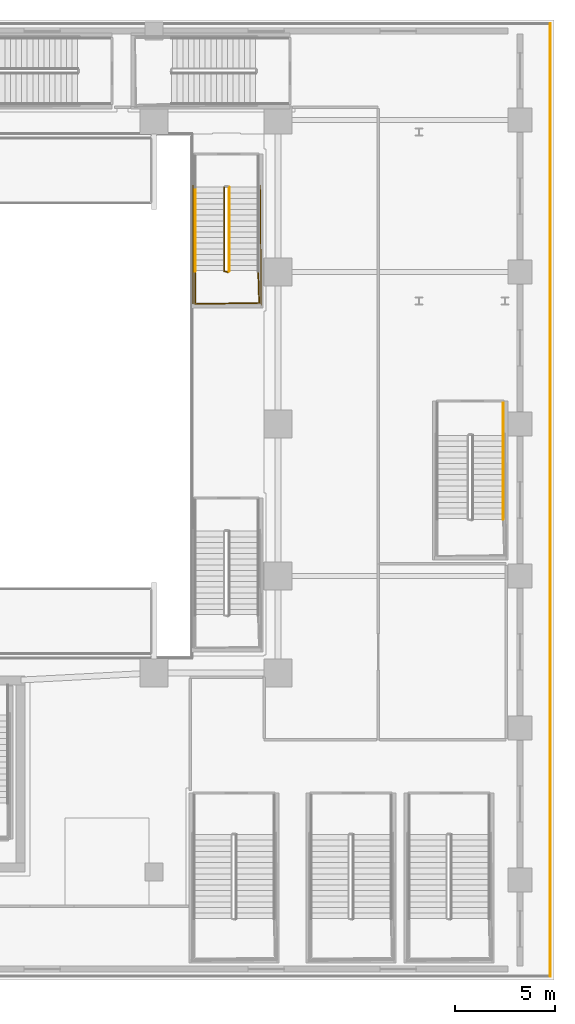
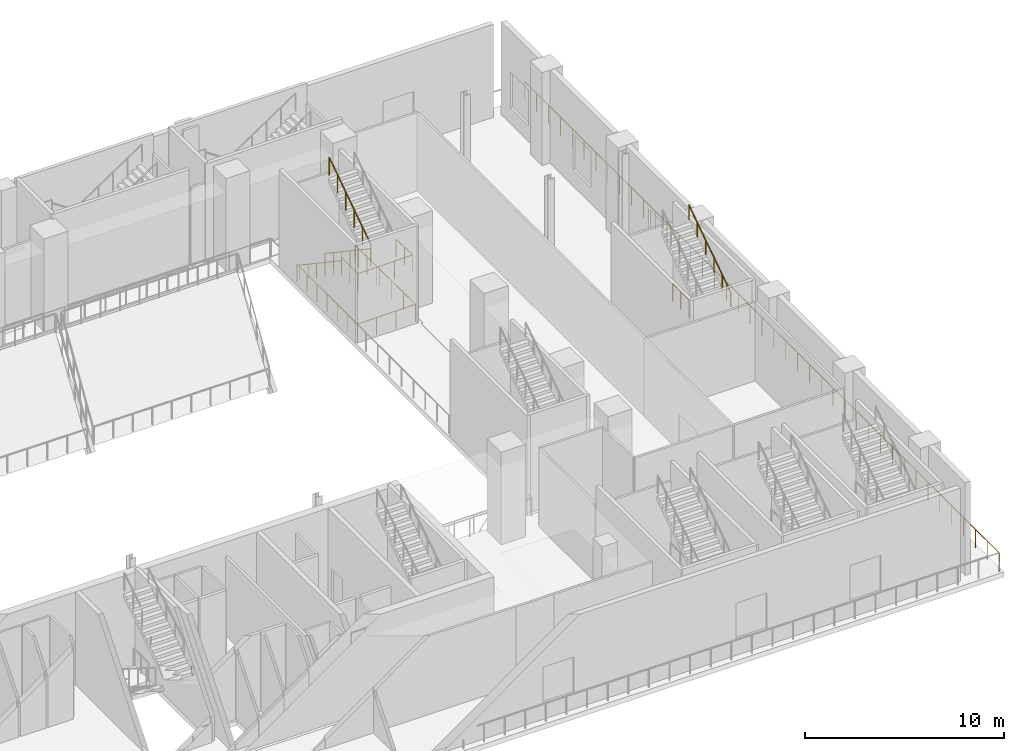
# One storey, part 29 of 30: 8 railings.
"""IFC4 building model written with IfcOpenShell, lengths in metres."""

from ifc_helpers import new_model, si_unit, direction, frame, origin, origin_2d, place, context, subcontext, project, spatial, circle, extrude, material, layer, layer_set, type_object, element, save


model = new_model("IFC4")

# Units and contexts
model_context = context("Model", 3, precision=1e-05, world=origin(), true_north=direction((0.0, 1.0)))
body_context = subcontext(model_context, "Body", "Model", "MODEL_VIEW")
ifc_project = project(units=[si_unit("LENGTHUNIT", "METRE"), si_unit("AREAUNIT", "SQUARE_METRE"), si_unit("VOLUMEUNIT", "CUBIC_METRE"), si_unit("PLANEANGLEUNIT", "RADIAN"), si_unit("MASSUNIT", "GRAM", prefix="KILO")], contexts=[model_context])

# Site, building, storey
site_placement = place(None, origin())
site = spatial("IfcSite", under=ifc_project, at=site_placement, CompositionType="ELEMENT")
building_placement = place(site_placement, origin())
building = spatial("IfcBuilding", under=site, at=building_placement, Name="Ndaravel Arena Tower", CompositionType="ELEMENT")
storey_placement = place(building_placement, frame((0.0, 0.0, 6.0)))
storey = spatial("IfcBuildingStorey", under=building, at=storey_placement, Name="L01", CompositionType="ELEMENT", Elevation=6.0)

# Railings
ifc_material_1 = material(Name="Steel S355", Category="steel")
ifc_layer_1 = layer(ifc_material_1, 0.06005859375)
ifc_layer_set_1 = layer_set([ifc_layer_1], Name="Steel S355")
railing_type_1 = type_object("IfcRailingType", Name="RAIL-STAIR-GD1100", PredefinedType="GUARDRAIL", material=ifc_layer_set_1)
railing_1_placement = place(storey_placement, frame((81.449951171875, 28.85009765625, 0.0)))
element("IfcRailing", 1, at=railing_1_placement, inside=storey, type_object=railing_type_1, Name="L01 ST-A12 stair guard 6", PredefinedType="GUARDRAIL", context=body_context, shape_type="SweptSolid", body=[
    extrude(circle(Radius=0.02392578125, at=origin_2d()), frame((0.0, 0.0, 1.076171875), z_axis=(0.0, -1.0, 0.0), x_axis=(1.0, 0.0, 0.0)), (0.0, 0.0, 1.0), 1.6201171875),
    extrude(circle(Radius=0.02099609375, at=origin_2d()), origin(), (0.0, 0.0, 1.0), 1.052001953125),
    extrude(circle(Radius=0.02099609375, at=origin_2d()), frame((0.0, -0.81005859375, 0.0)), (0.0, 0.0, 1.0), 1.052001953125),
    extrude(circle(Radius=0.02099609375, at=origin_2d()), frame((0.0, -1.6201171875, 0.0)), (0.0, 0.0, 1.0), 1.052001953125),
])
railing_2_placement = place(storey_placement, frame((67.510009765625, 39.639892578125, 0.1875)))
element("IfcRailing", 2, at=railing_2_placement, inside=storey, type_object=railing_type_1, Name="L01 ST-VOM-4 stair guard 1", PredefinedType="GUARDRAIL", context=body_context, shape_type="SweptSolid", body=[
    extrude(circle(Radius=0.02392578125, at=origin_2d()), frame((0.0, 0.0, 1.076171875), z_axis=(0.0, -0.830904186295, 0.556415522067), x_axis=(1.0, 0.0, 0.0)), (0.0, 0.0, 1.0), 5.0546875),
    extrude(circle(Radius=0.02392578125, at=origin_2d()), frame((0.0, -4.199951171875, 3.888671875), z_axis=(0.966993988697, -0.254799187253, 0.0), x_axis=(0.254799187253, 0.966993988697, 0.0)), (0.0, 0.0, 1.0), 0.196533203125),
    extrude(circle(Radius=0.02099609375, at=origin_2d()), origin(), (0.0, 0.0, 1.0), 1.052001953125),
    extrude(circle(Radius=0.02099609375, at=origin_2d()), frame((0.0, -0.840087890625, 0.5625)), (0.0, 0.0, 1.0), 1.052001953125),
    extrude(circle(Radius=0.02099609375, at=origin_2d()), frame((0.0, -1.679931640625, 1.125)), (0.0, 0.0, 1.0), 1.052001953125),
    extrude(circle(Radius=0.02099609375, at=origin_2d()), frame((0.0, -2.52001953125, 1.6875)), (0.0, 0.0, 1.0), 1.052001953125),
    extrude(circle(Radius=0.02099609375, at=origin_2d()), frame((0.0, -3.35986328125, 2.25)), (0.0, 0.0, 1.0), 1.052001953125),
    extrude(circle(Radius=0.02099609375, at=origin_2d()), frame((0.0, -4.199951171875, 2.8125)), (0.0, 0.0, 1.0), 1.052001953125),
    extrude(circle(Radius=0.02099609375, at=origin_2d()), frame((0.18994140625, -4.25, 2.8125)), (0.0, 0.0, 1.0), 1.052001953125),
])
railing_3_placement = place(storey_placement, frame((66.050048828125, 35.43994140625, 3.0)))
element("IfcRailing", 3, at=railing_3_placement, inside=storey, type_object=railing_type_1, Name="L01 ST-VOM-4 stair guard 2", PredefinedType="GUARDRAIL", context=body_context, shape_type="SweptSolid", body=[
    extrude(circle(Radius=0.02392578125, at=origin_2d()), frame((0.0, 0.0, 1.076171875), z_axis=(0.0, -1.0, 0.0), x_axis=(1.0, 0.0, 0.0)), (0.0, 0.0, 1.0), 1.639892578125),
    extrude(circle(Radius=0.02392578125, at=origin_2d()), frame((0.0, -1.639892578125, 1.076171875), z_axis=(0.999878471214, 0.015589830134, 0.0), x_axis=(-0.015589830134, 0.999878471214, 0.0)), (0.0, 0.0, 1.0), 3.21044921875),
    extrude(circle(Radius=0.02392578125, at=origin_2d()), frame((3.2099609375, -1.58984375, 1.076171875), z_axis=(-0.031464756864, 0.999504861957, 0.0), x_axis=(-0.999504861957, -0.031464756864, 0.0)), (0.0, 0.0, 1.0), 1.590576171875),
    extrude(circle(Radius=0.02099609375, at=origin_2d()), origin(), (0.0, 0.0, 1.0), 1.052001953125),
    extrude(circle(Radius=0.02099609375, at=origin_2d()), frame((0.0, -0.81982421875, 0.0)), (0.0, 0.0, 1.0), 1.052001953125),
    extrude(circle(Radius=0.02099609375, at=origin_2d()), frame((0.0, -1.639892578125, 0.0)), (0.0, 0.0, 1.0), 1.052001953125),
    extrude(circle(Radius=0.02099609375, at=origin_2d()), frame((1.070068359375, -1.623291015625, 0.0)), (0.0, 0.0, 1.0), 1.052001953125),
    extrude(circle(Radius=0.02099609375, at=origin_2d()), frame((2.139892578125, -1.6064453125, 0.0)), (0.0, 0.0, 1.0), 1.052001953125),
    extrude(circle(Radius=0.02099609375, at=origin_2d()), frame((3.2099609375, -1.58984375, 0.0)), (0.0, 0.0, 1.0), 1.052001953125),
    extrude(circle(Radius=0.02099609375, at=origin_2d()), frame((3.18505859375, -0.794921875, 0.0)), (0.0, 0.0, 1.0), 1.052001953125),
    extrude(circle(Radius=0.02099609375, at=origin_2d()), frame((3.159912109375, 0.0, 0.0)), (0.0, 0.0, 1.0), 1.052001953125),
])
railing_4_placement = place(storey_placement, frame((67.75, 35.43994140625, 3.1875)))
element("IfcRailing", 4, at=railing_4_placement, inside=storey, type_object=railing_type_1, Name="L01 ST-VOM-4 stair guard 3", PredefinedType="GUARDRAIL", context=body_context, shape_type="SweptSolid", body=[
    extrude(circle(Radius=0.02392578125, at=origin_2d()), frame((0.0, 0.0, 1.076171875), z_axis=(0.0, 0.830904186295, 0.556415522067), x_axis=(-1.0, 0.0, 0.0)), (0.0, 0.0, 1.0), 5.0546875),
    extrude(circle(Radius=0.02099609375, at=origin_2d()), origin(), (0.0, 0.0, 1.0), 1.052001953125),
    extrude(circle(Radius=0.02099609375, at=origin_2d()), frame((0.0, 0.840087890625, 0.5625)), (0.0, 0.0, 1.0), 1.052001953125),
    extrude(circle(Radius=0.02099609375, at=origin_2d()), frame((0.0, 1.679931640625, 1.125)), (0.0, 0.0, 1.0), 1.052001953125),
    extrude(circle(Radius=0.02099609375, at=origin_2d()), frame((0.0, 2.52001953125, 1.6875)), (0.0, 0.0, 1.0), 1.052001953125),
    extrude(circle(Radius=0.02099609375, at=origin_2d()), frame((0.0, 3.35986328125, 2.25)), (0.0, 0.0, 1.0), 1.052001953125),
    extrude(circle(Radius=0.02099609375, at=origin_2d()), frame((0.0, 4.199951171875, 2.8125)), (0.0, 0.0, 1.0), 1.052001953125),
])
railing_5_placement = place(storey_placement, frame((65.949951171875, 39.739990234375, 0.0)))
element("IfcRailing", 5, at=railing_5_placement, inside=storey, type_object=railing_type_1, Name="L01 ST-VOM-4 stair guard 7", PredefinedType="GUARDRAIL", context=body_context, shape_type="SweptSolid", body=[
    extrude(circle(Radius=0.02392578125, at=origin_2d()), frame((0.0, 0.0, 1.076171875), z_axis=(0.0, -1.0, 0.0), x_axis=(1.0, 0.0, 0.0)), (0.0, 0.0, 1.0), 6.0400390625),
    extrude(circle(Radius=0.02392578125, at=origin_2d()), frame((0.0, -6.0400390625, 1.076171875), z_axis=(0.99989231899, 0.014674822837, 0.0), x_axis=(-0.014674822837, 0.99989231899, 0.0)), (0.0, 0.0, 1.0), 3.41064453125),
    extrude(circle(Radius=0.02392578125, at=origin_2d()), frame((3.41015625, -5.989990234375, 1.076171875), z_axis=(-0.008355118995, 0.999965095384, 0.0), x_axis=(-0.999965095384, -0.008355118995, 0.0)), (0.0, 0.0, 1.0), 5.990234375),
    extrude(circle(Radius=0.02099609375, at=origin_2d()), origin(), (0.0, 0.0, 1.0), 1.052001953125),
    extrude(circle(Radius=0.02099609375, at=origin_2d()), frame((0.0, -1.006591796875, 0.0)), (0.0, 0.0, 1.0), 1.052001953125),
    extrude(circle(Radius=0.02099609375, at=origin_2d()), frame((0.0, -2.013427734375, 0.0)), (0.0, 0.0, 1.0), 1.052001953125),
    extrude(circle(Radius=0.02099609375, at=origin_2d()), frame((0.0, -3.02001953125, 0.0)), (0.0, 0.0, 1.0), 1.052001953125),
    extrude(circle(Radius=0.02099609375, at=origin_2d()), frame((0.0, -4.026611328125, 0.0)), (0.0, 0.0, 1.0), 1.052001953125),
    extrude(circle(Radius=0.02099609375, at=origin_2d()), frame((0.0, -5.033447265625, 0.0)), (0.0, 0.0, 1.0), 1.052001953125),
    extrude(circle(Radius=0.02099609375, at=origin_2d()), frame((0.0, -6.0400390625, 0.0)), (0.0, 0.0, 1.0), 1.052001953125),
    extrude(circle(Radius=0.02099609375, at=origin_2d()), frame((1.13671875, -6.0234375, 0.0)), (0.0, 0.0, 1.0), 1.052001953125),
    extrude(circle(Radius=0.02099609375, at=origin_2d()), frame((2.2734375, -6.006591796875, 0.0)), (0.0, 0.0, 1.0), 1.052001953125),
    extrude(circle(Radius=0.02099609375, at=origin_2d()), frame((3.41015625, -5.989990234375, 0.0)), (0.0, 0.0, 1.0), 1.052001953125),
    extrude(circle(Radius=0.02099609375, at=origin_2d()), frame((3.400146484375, -4.7919921875, 0.0)), (0.0, 0.0, 1.0), 1.052001953125),
    extrude(circle(Radius=0.02099609375, at=origin_2d()), frame((3.39013671875, -3.593994140625, 0.0)), (0.0, 0.0, 1.0), 1.052001953125),
    extrude(circle(Radius=0.02099609375, at=origin_2d()), frame((3.380126953125, -2.39599609375, 0.0)), (0.0, 0.0, 1.0), 1.052001953125),
    extrude(circle(Radius=0.02099609375, at=origin_2d()), frame((3.3701171875, -1.197998046875, 0.0)), (0.0, 0.0, 1.0), 1.052001953125),
    extrude(circle(Radius=0.02099609375, at=origin_2d()), frame((3.360107421875, 0.0, 0.0)), (0.0, 0.0, 1.0), 1.052001953125),
])
ifc_material_2 = material(Name="Steel S355", Category="steel")
ifc_layer_2 = layer(ifc_material_2, 0.050048828125)
ifc_layer_set_2 = layer_set([ifc_layer_2], Name="Steel S355")
railing_type_2 = type_object("IfcRailingType", Name="RAIL-STAIR-HR920", PredefinedType="HANDRAIL", material=ifc_layer_set_2)
railing_6_placement = place(storey_placement, frame((81.449951171875, 23.030029296875, 3.1875)))
element("IfcRailing", 6, at=railing_6_placement, inside=storey, type_object=railing_type_2, Name="L01 ST-A12 stair handrail 2", PredefinedType="HANDRAIL", context=body_context, shape_type="SweptSolid", body=[
    extrude(circle(Radius=0.02392578125, at=origin_2d()), frame((0.0, 0.0, 0.8759765625), z_axis=(0.0, 0.830904186295, 0.556415522067), x_axis=(-1.0, 0.0, 0.0)), (0.0, 0.0, 1.0), 5.0546875),
    extrude(circle(Radius=0.02099609375, at=origin_2d()), origin(), (0.0, 0.0, 1.0), 0.851806640625),
    extrude(circle(Radius=0.02099609375, at=origin_2d()), frame((0.0, 0.840087890625, 0.5625)), (0.0, 0.0, 1.0), 0.851806640625),
    extrude(circle(Radius=0.02099609375, at=origin_2d()), frame((0.0, 1.679931640625, 1.125)), (0.0, 0.0, 1.0), 0.851806640625),
    extrude(circle(Radius=0.02099609375, at=origin_2d()), frame((0.0, 2.52001953125, 1.6875)), (0.0, 0.0, 1.0), 0.851806640625),
    extrude(circle(Radius=0.02099609375, at=origin_2d()), frame((0.0, 3.35986328125, 2.25)), (0.0, 0.0, 1.0), 0.851806640625),
    extrude(circle(Radius=0.02099609375, at=origin_2d()), frame((0.0, 4.199951171875, 2.8125)), (0.0, 0.0, 1.0), 0.851806640625),
])
railing_7_placement = place(storey_placement, frame((66.050048828125, 39.639892578125, 0.1875)))
element("IfcRailing", 7, at=railing_7_placement, inside=storey, type_object=railing_type_2, Name="L01 ST-VOM-4 stair handrail 1", PredefinedType="HANDRAIL", context=body_context, shape_type="SweptSolid", body=[
    extrude(circle(Radius=0.02392578125, at=origin_2d()), frame((0.0, 0.0, 0.8759765625), z_axis=(0.0, -0.830904186295, 0.556415522067), x_axis=(1.0, 0.0, 0.0)), (0.0, 0.0, 1.0), 5.0546875),
    extrude(circle(Radius=0.02099609375, at=origin_2d()), origin(), (0.0, 0.0, 1.0), 0.851806640625),
    extrude(circle(Radius=0.02099609375, at=origin_2d()), frame((0.0, -0.840087890625, 0.5625)), (0.0, 0.0, 1.0), 0.851806640625),
    extrude(circle(Radius=0.02099609375, at=origin_2d()), frame((0.0, -1.679931640625, 1.125)), (0.0, 0.0, 1.0), 0.851806640625),
    extrude(circle(Radius=0.02099609375, at=origin_2d()), frame((0.0, -2.52001953125, 1.6875)), (0.0, 0.0, 1.0), 0.851806640625),
    extrude(circle(Radius=0.02099609375, at=origin_2d()), frame((0.0, -3.35986328125, 2.25)), (0.0, 0.0, 1.0), 0.851806640625),
    extrude(circle(Radius=0.02099609375, at=origin_2d()), frame((0.0, -4.199951171875, 2.8125)), (0.0, 0.0, 1.0), 0.851806640625),
])
ifc_material_3 = material(Name="Glazing", Category="glass")
ifc_layer_3 = layer(ifc_material_3, 0.070068359375)
ifc_layer_set_3 = layer_set([ifc_layer_3], Name="Glazing")
railing_type_3 = type_object("IfcRailingType", Name="RAIL-TERRACE-1150", PredefinedType="BALUSTRADE", material=ifc_layer_set_3)
railing_8_placement = place(storey_placement, frame((83.820068359375, 0.179931640625, 0.0)))
element("IfcRailing", 8, at=railing_8_placement, inside=storey, type_object=railing_type_3, Name="L01 Podium Perimeter Edge Guard 2", PredefinedType="BALUSTRADE", context=body_context, shape_type="SweptSolid", body=[
    extrude(circle(Radius=0.02392578125, at=origin_2d()), frame((0.0, 0.0, 1.1259765625), z_axis=(0.0, 1.0, 0.0), x_axis=(-1.0, 0.0, 0.0)), (0.0, 0.0, 1.0), 47.64013671875),
    extrude(circle(Radius=0.02099609375, at=origin_2d()), origin(), (0.0, 0.0, 1.0), 1.101806640625),
    extrude(circle(Radius=0.02099609375, at=origin_2d()), frame((0.0, 1.19091796875, 0.0)), (0.0, 0.0, 1.0), 1.101806640625),
    extrude(circle(Radius=0.02099609375, at=origin_2d()), frame((0.0, 2.382080078125, 0.0)), (0.0, 0.0, 1.0), 1.101806640625),
    extrude(circle(Radius=0.02099609375, at=origin_2d()), frame((0.0, 3.572998046875, 0.0)), (0.0, 0.0, 1.0), 1.101806640625),
    extrude(circle(Radius=0.02099609375, at=origin_2d()), frame((0.0, 4.763916015625, 0.0)), (0.0, 0.0, 1.0), 1.101806640625),
    extrude(circle(Radius=0.02099609375, at=origin_2d()), frame((0.0, 5.955078125, 0.0)), (0.0, 0.0, 1.0), 1.101806640625),
    extrude(circle(Radius=0.02099609375, at=origin_2d()), frame((0.0, 7.14599609375, 0.0)), (0.0, 0.0, 1.0), 1.101806640625),
    extrude(circle(Radius=0.02099609375, at=origin_2d()), frame((0.0, 8.3369140625, 0.0)), (0.0, 0.0, 1.0), 1.101806640625),
    extrude(circle(Radius=0.02099609375, at=origin_2d()), frame((0.0, 9.528076171875, 0.0)), (0.0, 0.0, 1.0), 1.101806640625),
    extrude(circle(Radius=0.02099609375, at=origin_2d()), frame((0.0, 10.718994140625, 0.0)), (0.0, 0.0, 1.0), 1.101806640625),
    extrude(circle(Radius=0.02099609375, at=origin_2d()), frame((0.0, 11.91015625, 0.0)), (0.0, 0.0, 1.0), 1.101806640625),
    extrude(circle(Radius=0.02099609375, at=origin_2d()), frame((0.0, 13.10107421875, 0.0)), (0.0, 0.0, 1.0), 1.101806640625),
    extrude(circle(Radius=0.02099609375, at=origin_2d()), frame((0.0, 14.2919921875, 0.0)), (0.0, 0.0, 1.0), 1.101806640625),
    extrude(circle(Radius=0.02099609375, at=origin_2d()), frame((0.0, 15.483154296875, 0.0)), (0.0, 0.0, 1.0), 1.101806640625),
    extrude(circle(Radius=0.02099609375, at=origin_2d()), frame((0.0, 16.674072265625, 0.0)), (0.0, 0.0, 1.0), 1.101806640625),
    extrude(circle(Radius=0.02099609375, at=origin_2d()), frame((0.0, 17.864990234375, 0.0)), (0.0, 0.0, 1.0), 1.101806640625),
    extrude(circle(Radius=0.02099609375, at=origin_2d()), frame((0.0, 19.05615234375, 0.0)), (0.0, 0.0, 1.0), 1.101806640625),
    extrude(circle(Radius=0.02099609375, at=origin_2d()), frame((0.0, 20.2470703125, 0.0)), (0.0, 0.0, 1.0), 1.101806640625),
    extrude(circle(Radius=0.02099609375, at=origin_2d()), frame((0.0, 21.43798828125, 0.0)), (0.0, 0.0, 1.0), 1.101806640625),
    extrude(circle(Radius=0.02099609375, at=origin_2d()), frame((0.0, 22.629150390625, 0.0)), (0.0, 0.0, 1.0), 1.101806640625),
    extrude(circle(Radius=0.02099609375, at=origin_2d()), frame((0.0, 23.820068359375, 0.0)), (0.0, 0.0, 1.0), 1.101806640625),
    extrude(circle(Radius=0.02099609375, at=origin_2d()), frame((0.0, 25.010986328125, 0.0)), (0.0, 0.0, 1.0), 1.101806640625),
    extrude(circle(Radius=0.02099609375, at=origin_2d()), frame((0.0, 26.2021484375, 0.0)), (0.0, 0.0, 1.0), 1.101806640625),
    extrude(circle(Radius=0.02099609375, at=origin_2d()), frame((0.0, 27.39306640625, 0.0)), (0.0, 0.0, 1.0), 1.101806640625),
    extrude(circle(Radius=0.02099609375, at=origin_2d()), frame((0.0, 28.583984375, 0.0)), (0.0, 0.0, 1.0), 1.101806640625),
    extrude(circle(Radius=0.02099609375, at=origin_2d()), frame((0.0, 29.775146484375, 0.0)), (0.0, 0.0, 1.0), 1.101806640625),
    extrude(circle(Radius=0.02099609375, at=origin_2d()), frame((0.0, 30.966064453125, 0.0)), (0.0, 0.0, 1.0), 1.101806640625),
    extrude(circle(Radius=0.02099609375, at=origin_2d()), frame((0.0, 32.156982421875, 0.0)), (0.0, 0.0, 1.0), 1.101806640625),
    extrude(circle(Radius=0.02099609375, at=origin_2d()), frame((0.0, 33.34814453125, 0.0)), (0.0, 0.0, 1.0), 1.101806640625),
    extrude(circle(Radius=0.02099609375, at=origin_2d()), frame((0.0, 34.5390625, 0.0)), (0.0, 0.0, 1.0), 1.101806640625),
    extrude(circle(Radius=0.02099609375, at=origin_2d()), frame((0.0, 35.72998046875, 0.0)), (0.0, 0.0, 1.0), 1.101806640625),
    extrude(circle(Radius=0.02099609375, at=origin_2d()), frame((0.0, 36.921142578125, 0.0)), (0.0, 0.0, 1.0), 1.101806640625),
    extrude(circle(Radius=0.02099609375, at=origin_2d()), frame((0.0, 38.112060546875, 0.0)), (0.0, 0.0, 1.0), 1.101806640625),
    extrude(circle(Radius=0.02099609375, at=origin_2d()), frame((0.0, 39.30322265625, 0.0)), (0.0, 0.0, 1.0), 1.101806640625),
    extrude(circle(Radius=0.02099609375, at=origin_2d()), frame((0.0, 40.494140625, 0.0)), (0.0, 0.0, 1.0), 1.101806640625),
    extrude(circle(Radius=0.02099609375, at=origin_2d()), frame((0.0, 41.68505859375, 0.0)), (0.0, 0.0, 1.0), 1.101806640625),
    extrude(circle(Radius=0.02099609375, at=origin_2d()), frame((0.0, 42.876220703125, 0.0)), (0.0, 0.0, 1.0), 1.101806640625),
    extrude(circle(Radius=0.02099609375, at=origin_2d()), frame((0.0, 44.067138671875, 0.0)), (0.0, 0.0, 1.0), 1.101806640625),
    extrude(circle(Radius=0.02099609375, at=origin_2d()), frame((0.0, 45.258056640625, 0.0)), (0.0, 0.0, 1.0), 1.101806640625),
    extrude(circle(Radius=0.02099609375, at=origin_2d()), frame((0.0, 46.44921875, 0.0)), (0.0, 0.0, 1.0), 1.101806640625),
    extrude(circle(Radius=0.02099609375, at=origin_2d()), frame((0.0, 47.64013671875, 0.0)), (0.0, 0.0, 1.0), 1.101806640625),
])

save(model, "model.ifc")
